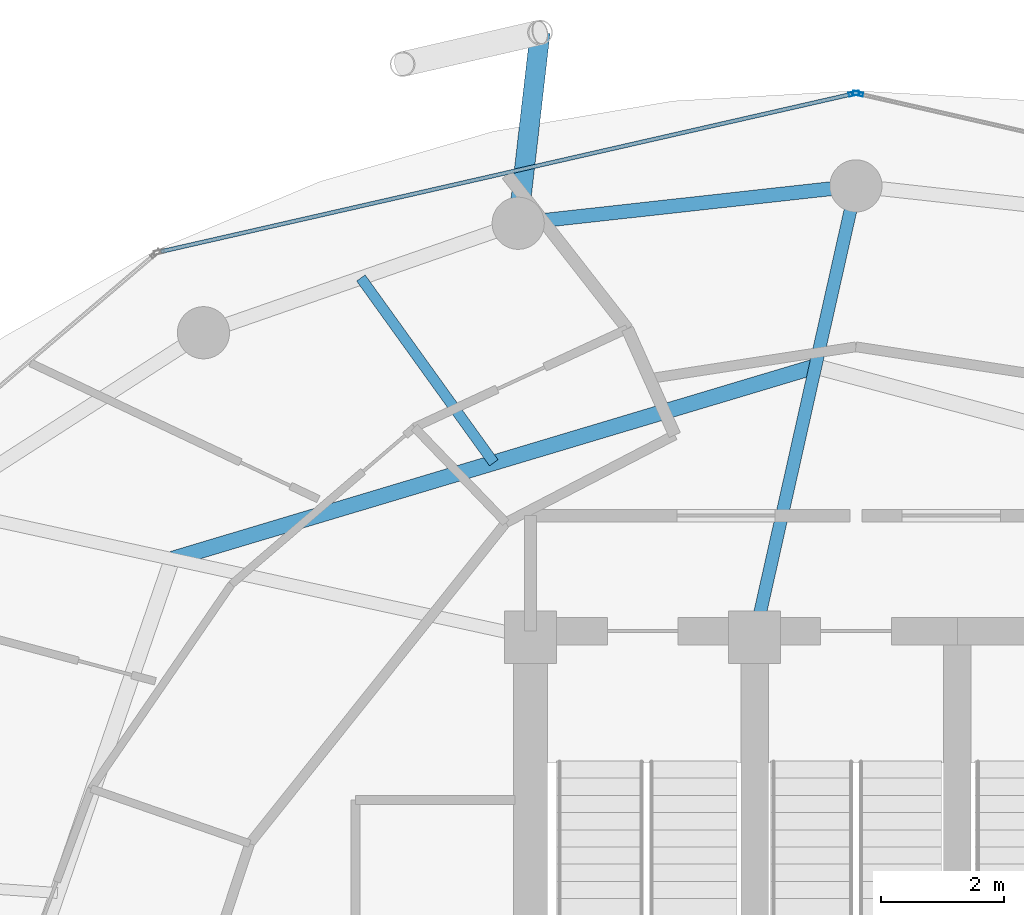
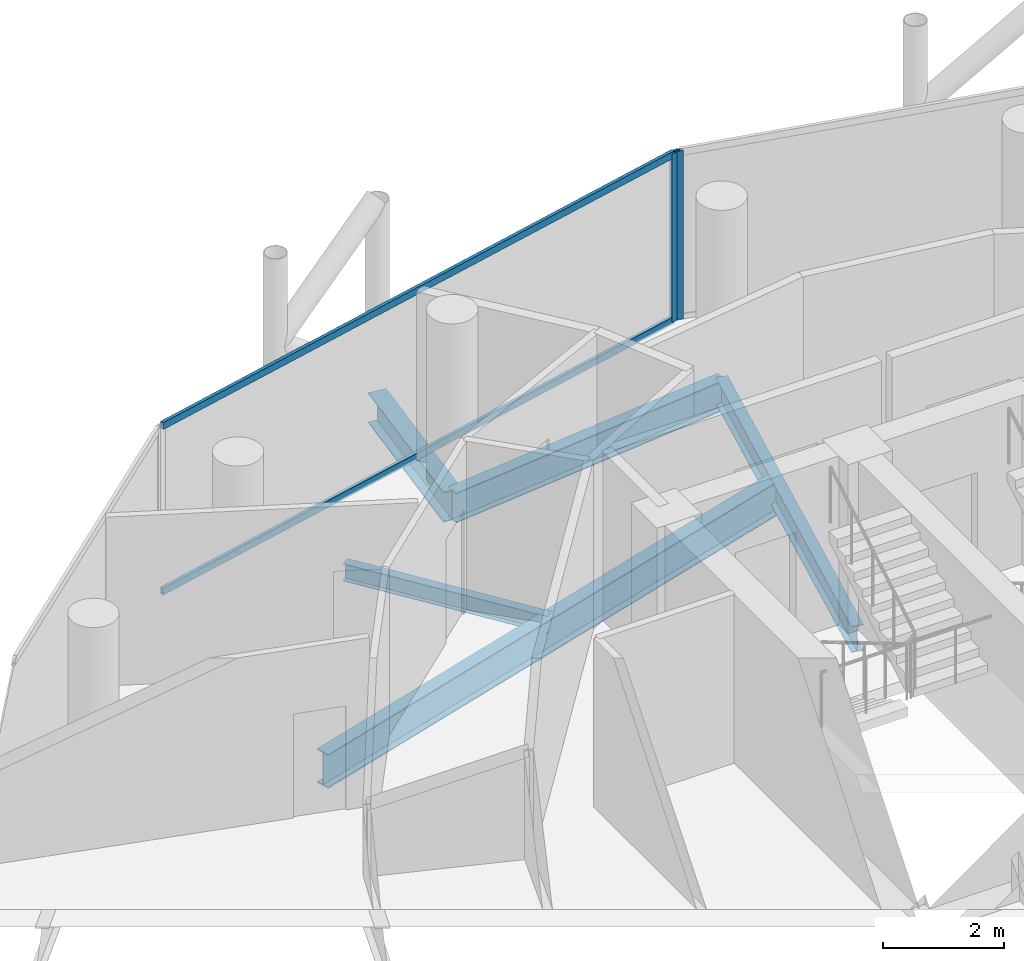
# One storey, part 19 of 28: 5 beams, 4 members, 2 elements without a shape of their own.
"""IFC4 building model written with IfcOpenShell, lengths in metres."""

from ifc_helpers import new_model, si_unit, direction, frame, origin, origin_2d, place, context, subcontext, project, spatial, hollow_rectangle, i_section, extrude, material, layer, layer_set, material_profile, profile_set, type_object, element, aggregate, save


model = new_model("IFC4")

# Units and contexts
model_context = context("Model", 3, precision=1e-05, world=origin(), true_north=direction((0.0, 1.0)))
body_context = subcontext(model_context, "Body", "Model", "MODEL_VIEW")
ifc_project = project(units=[si_unit("LENGTHUNIT", "METRE"), si_unit("AREAUNIT", "SQUARE_METRE"), si_unit("VOLUMEUNIT", "CUBIC_METRE"), si_unit("PLANEANGLEUNIT", "RADIAN"), si_unit("MASSUNIT", "GRAM", prefix="KILO")], contexts=[model_context])

# Site, building, storey
site_placement = place(None, origin())
site = spatial("IfcSite", under=ifc_project, at=site_placement, CompositionType="ELEMENT")
building_placement = place(site_placement, origin())
building = spatial("IfcBuilding", under=site, at=building_placement, Name="Nuhasar Tower", CompositionType="ELEMENT")
storey_placement = place(building_placement, frame((0.0, 0.0, 222.75)))
storey = spatial("IfcBuildingStorey", under=building, at=storey_placement, Name="L54", CompositionType="ELEMENT", Elevation=222.75)

# Beams
ifc_material_1 = material(Name="Steel S355", Category="steel")
ifc_material_profile_1 = material_profile(ifc_material_1, i_section(OverallWidth=0.25390625, OverallDepth=0.68408203125, WebThickness=0.012451171875, FlangeThickness=0.018798828125, at=origin_2d()), Name="W27X94")
ifc_profile_set_1 = profile_set([ifc_material_profile_1], Name="Steel S355")
beam_type_1 = type_object("IfcBeamType", Name="BM-INRING-W27X94", PredefinedType="BEAM", material=ifc_profile_set_1)
beam_1_placement = place(storey_placement, frame((38.340087890625, 41.7099609375, -0.58203125), z_axis=(-0.957973628187, -0.28685628405, 0.0), x_axis=(0.28685628405, -0.957973628187, 0.0)))
element("IfcBeam", 1, at=beam_1_placement, inside=storey, type_object=beam_type_1, Name="L54 Inner Header Beam 06", PredefinedType="BEAM", context=body_context, shape_type="SweptSolid", body=[
    extrude(i_section(OverallWidth=0.25390625, OverallDepth=0.68408203125, WebThickness=0.012451171875, FlangeThickness=0.018798828125, at=origin_2d()), origin(), (0.0, 0.0, 1.0), 10.935546875),
])
ifc_material_profile_2 = material_profile(ifc_material_1, i_section(OverallWidth=0.1708984375, OverallDepth=0.35205078125, WebThickness=0.0068359375, FlangeThickness=0.009765625, at=origin_2d()), Name="W14X30")
ifc_profile_set_2 = profile_set([ifc_material_profile_2], Name="Steel S355")
beam_type_2 = type_object("IfcBeamType", Name="BM-JST-W14X30", PredefinedType="JOIST", material=ifc_profile_set_2)
beam_2_placement = place(storey_placement, frame((33.10205078125, 40.14208984375, -0.416015625), z_axis=(-0.58390205555, 0.811824112431, 0.0), x_axis=(-0.811824112431, -0.58390205555, 0.0)))
element("IfcBeam", 2, at=beam_2_placement, inside=storey, type_object=beam_type_2, Name="L54 Secondary Floor Joist 06", PredefinedType="JOIST", context=body_context, shape_type="SweptSolid", body=[
    extrude(i_section(OverallWidth=0.1708984375, OverallDepth=0.35205078125, WebThickness=0.0068359375, FlangeThickness=0.009765625, at=origin_2d()), origin(), (0.0, 0.0, 1.0), 3.706298828125),
])
ifc_material_profile_3 = material_profile(ifc_material_1, i_section(OverallWidth=0.208984375, OverallDepth=0.528076171875, WebThickness=0.009521484375, FlangeThickness=0.01318359375, at=origin_2d()), Name="W21X55")
ifc_profile_set_3 = profile_set([ifc_material_profile_3], Name="Steel S355")
beam_type_3 = type_object("IfcBeamType", Name="BM-RAD-W21X55", PredefinedType="BEAM", material=ifc_profile_set_3)
beam_3_placement = place(storey_placement, frame((37.35009765625, 37.300048828125, -0.50390625), z_axis=(0.219030156142, 0.975718089768, 0.0), x_axis=(-0.975718089768, 0.219030156142, 0.0)))
element("IfcBeam", 3, at=beam_3_placement, inside=storey, type_object=beam_type_3, Name="L54 Radial Floor Girder 06", PredefinedType="BEAM", context=body_context, shape_type="SweptSolid", body=[
    extrude(i_section(OverallWidth=0.208984375, OverallDepth=0.528076171875, WebThickness=0.009521484375, FlangeThickness=0.01318359375, at=origin_2d()), origin(), (0.0, 0.0, 1.0), 7.53271484375),
])
ifc_material_profile_4 = material_profile(ifc_material_1, i_section(OverallWidth=0.22802734375, OverallDepth=0.60791015625, WebThickness=0.01123046875, FlangeThickness=0.017333984375, at=origin_2d()), Name="W24X76")
ifc_profile_set_4 = profile_set([ifc_material_profile_4], Name="Steel S355")
beam_type_4 = type_object("IfcBeamType", Name="BM-RING-W24X76", PredefinedType="SPANDREL", material=ifc_profile_set_4)
beam_4_placement = place(storey_placement, frame((39.0, 44.64990234375, -0.5439453125), z_axis=(-0.993947060915, -0.109860093292, 0.0), x_axis=(0.109860093292, -0.993947060915, 0.0)))
element("IfcBeam", 4, at=beam_4_placement, inside=storey, type_object=beam_type_4, Name="L54 Perimeter Ring Spandrel 07", PredefinedType="SPANDREL", context=body_context, shape_type="SweptSolid", body=[
    extrude(i_section(OverallWidth=0.22802734375, OverallDepth=0.60791015625, WebThickness=0.01123046875, FlangeThickness=0.017333984375, at=origin_2d()), origin(), (0.0, 0.0, 1.0), 5.533447265625),
])
ifc_material_profile_5 = material_profile(ifc_material_1, i_section(OverallWidth=0.323974609375, OverallDepth=0.611083984375, WebThickness=0.0126953125, FlangeThickness=0.01904296875, at=origin_2d()), Name="W24X104")
ifc_profile_set_5 = profile_set([ifc_material_profile_5], Name="Steel S355")
beam_type_5 = type_object("IfcBeamType", Name="BM-TIE-W24X104", PredefinedType="BEAM", material=ifc_profile_set_5)
beam_5_placement = place(storey_placement, frame((33.5, 44.0419921875, -0.5458984375), z_axis=(0.114132222314, 0.993465568517, 0.0), x_axis=(-0.993465568517, 0.114132222314, 0.0)))
element("IfcBeam", 5, at=beam_5_placement, inside=storey, type_object=beam_type_5, Name="L54 Exoskeleton Node Tie Beam 04", PredefinedType="BEAM", context=body_context, shape_type="SweptSolid", body=[
    extrude(i_section(OverallWidth=0.323974609375, OverallDepth=0.611083984375, WebThickness=0.0126953125, FlangeThickness=0.01904296875, at=origin_2d()), origin(), (0.0, 0.0, 1.0), 3.12744140625),
])

# Curtain wall, member
ifc_material_2 = material(Name="Aluminium 6063-T6", Category="aluminium")
ifc_layer = layer(ifc_material_2, 0.18994140625)
ifc_layer_set = layer_set([ifc_layer], Name="Aluminium 6063-T6")
curtain_wall_type = type_object("IfcCurtainWallType", Name="CW-Z3-RES", PredefinedType="NOTDEFINED", material=ifc_layer_set)
curtain_wall_1_placement = place(storey_placement, origin())
curtain_wall_1 = element("IfcCurtainWall", 6, at=curtain_wall_1_placement, inside=storey, type_object=curtain_wall_type, Name="L54 Unitised Curtain Wall 03", PredefinedType="NOTDEFINED")
ifc_material_profile_6 = material_profile(ifc_material_2, hollow_rectangle(XDim=0.06494140625, YDim=0.169921875, WallThickness=0.0048828125, at=origin_2d()), Name="CWM-4")
ifc_profile_set_6 = profile_set([ifc_material_profile_6], Name="Aluminium 6063-T6")
member_type_1 = type_object("IfcMemberType", Name="CW-MUL-S4", PredefinedType="MULLION", material=ifc_profile_set_6)
member_1_placement = place(storey_placement, frame((39.03173828125, 46.15283203125, 0.0), z_axis=(0.0, 0.0, 1.0), x_axis=(-0.222243176313, -0.974991266926, 0.0)))
member_1 = element("IfcMember", 7, at=member_1_placement, type_object=member_type_1, Name="CW-Z3 mullion 2", PredefinedType="MULLION", context=body_context, shape_type="SweptSolid", body=[
    extrude(hollow_rectangle(XDim=0.06494140625, YDim=0.169921875, WallThickness=0.0048828125, at=origin_2d()), origin(), (0.0, 0.0, 1.0), 3.409912109375),
])
aggregate(curtain_wall_1, [member_1])

# Curtain wall, members
curtain_wall_2_placement = place(storey_placement, origin())
curtain_wall_2 = element("IfcCurtainWall", 8, at=curtain_wall_2_placement, inside=storey, type_object=curtain_wall_type, Name="L54 Unitised Curtain Wall 04", PredefinedType="NOTDEFINED")
member_2_placement = place(storey_placement, frame((38.96826171875, 46.15283203125, 0.0), z_axis=(0.0, 0.0, 1.0), x_axis=(0.222243176313, -0.974991266926, 0.0)))
member_2 = element("IfcMember", 9, at=member_2_placement, type_object=member_type_1, Name="CW-Z3 mullion 1", PredefinedType="MULLION", context=body_context, shape_type="SweptSolid", body=[
    extrude(hollow_rectangle(XDim=0.06494140625, YDim=0.169921875, WallThickness=0.0048828125, at=origin_2d()), origin(), (0.0, 0.0, 1.0), 3.409912109375),
])
ifc_material_profile_7 = material_profile(ifc_material_2, hollow_rectangle(XDim=0.06494140625, YDim=0.139892578125, WallThickness=0.00439453125, at=origin_2d()), Name="CWT-4")
ifc_profile_set_7 = profile_set([ifc_material_profile_7], Name="Aluminium 6063-T6")
member_type_2 = type_object("IfcMemberType", Name="CW-TRN-S4", PredefinedType="USERDEFINED", material=ifc_profile_set_7)
member_3_placement = place(storey_placement, frame((38.9365234375, 46.1455078125, 0.032470703125), z_axis=(-0.974994070913, -0.222230874732, 0.0), x_axis=(0.222230874732, -0.974994070913, 0.0)))
member_3 = element("IfcMember", 10, at=member_3_placement, type_object=member_type_2, Name="CW-Z3 transom 1.1", ObjectType="TRANSOM", PredefinedType="USERDEFINED", context=body_context, shape_type="SweptSolid", body=[
    extrude(hollow_rectangle(XDim=0.06494140625, YDim=0.139892578125, WallThickness=0.00439453125, at=origin_2d()), origin(), (0.0, 0.0, 1.0), 11.541748046875),
])
member_4_placement = place(storey_placement, frame((38.9365234375, 46.1455078125, 3.37744140625), z_axis=(-0.974994070913, -0.222230874732, 0.0), x_axis=(0.222230874732, -0.974994070913, 0.0)))
member_4 = element("IfcMember", 11, at=member_4_placement, type_object=member_type_2, Name="CW-Z3 transom 1.2", ObjectType="TRANSOM", PredefinedType="USERDEFINED", context=body_context, shape_type="SweptSolid", body=[
    extrude(hollow_rectangle(XDim=0.06494140625, YDim=0.139892578125, WallThickness=0.00439453125, at=origin_2d()), origin(), (0.0, 0.0, 1.0), 11.541748046875),
])
aggregate(curtain_wall_2, [member_2, member_3, member_4])

save(model, "model.ifc")
